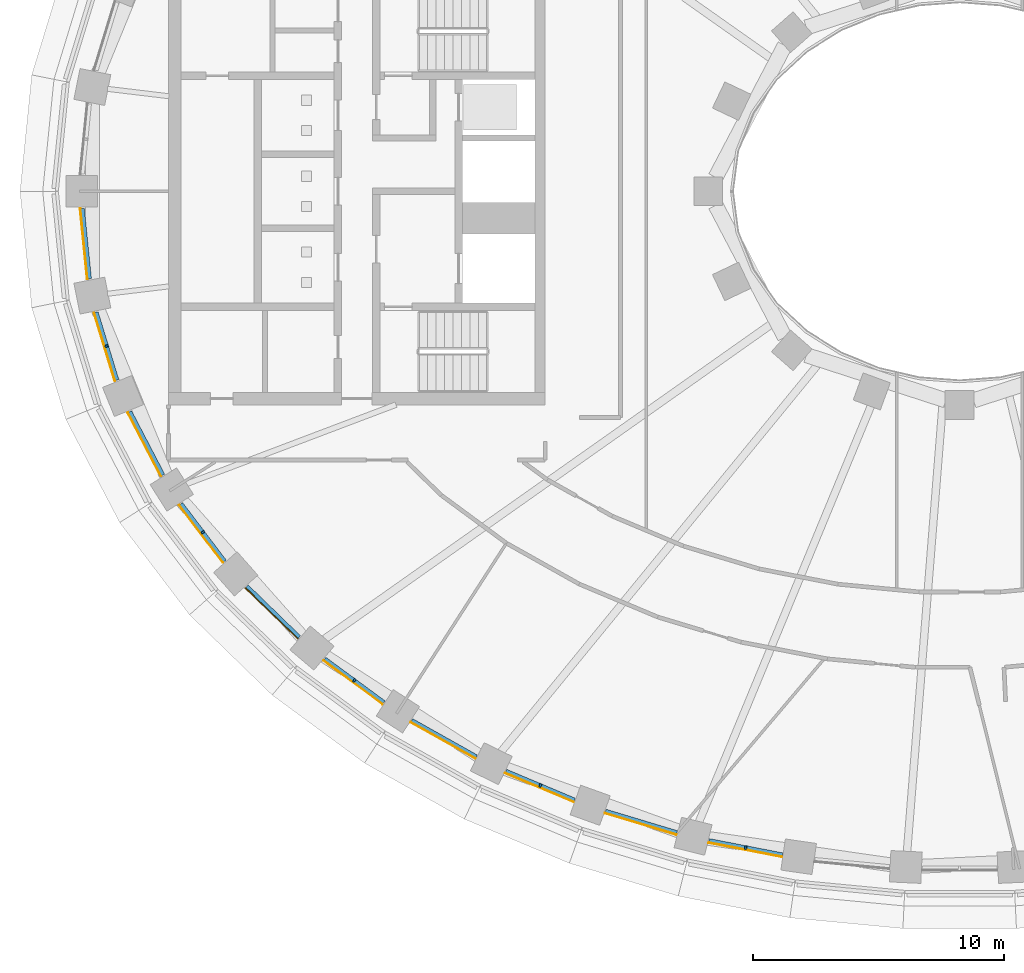
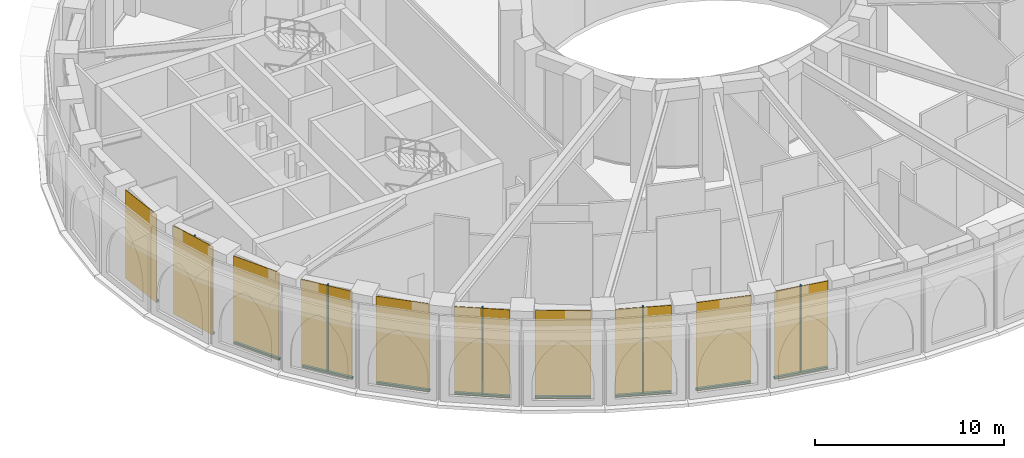
# One storey, part 9 of 23: 15 members, 10 curtain walls.
"""IFC4 building model written with IfcOpenShell, lengths in metres."""

from ifc_helpers import new_model, si_unit, direction, frame, origin, origin_2d, place, context, subcontext, project, spatial, polyline, rectangle, outline, extrude, material, layer, layer_set, material_profile, profile_set, type_object, element, aggregate, save


model = new_model("IFC4")

# Units and contexts
model_context = context("Model", 3, precision=1e-05, world=origin(), true_north=direction((0.0, 1.0)))
body_context = subcontext(model_context, "Body", "Model", "MODEL_VIEW")
ifc_project = project(units=[si_unit("LENGTHUNIT", "METRE"), si_unit("AREAUNIT", "SQUARE_METRE"), si_unit("VOLUMEUNIT", "CUBIC_METRE"), si_unit("PLANEANGLEUNIT", "RADIAN"), si_unit("MASSUNIT", "GRAM", prefix="KILO")], contexts=[model_context])

# Member
ifc_material_1 = material(Name="Aluminium 6063-T6 black anodised", Category="aluminium")
ifc_material_profile = material_profile(ifc_material_1, rectangle(XDim=0.14990234375, YDim=0.080078125, at=origin_2d()), Name="150x80")
ifc_profile_set = profile_set([ifc_material_profile], Name="Aluminium 6063-T6 black anodised")
member_type_1 = type_object("IfcMemberType", Name="ENV-MULLION-B-150", PredefinedType="MULLION", material=ifc_profile_set)
site_placement = place(None, origin())
building_placement = place(site_placement, origin())
storey_placement = place(building_placement, frame((0.0, 0.0, 140.0)))
member_1_placement = place(storey_placement, frame((-33.957275390625, -6.162109375, 0.1201171875), z_axis=(0.0, 0.0, 1.0), x_axis=(0.95636637957, 0.292170066961, 0.0)))
member_1 = element("IfcMember", 1, at=member_1_placement, type_object=member_type_1, Name="Mullion B chord 25", PredefinedType="MULLION", context=body_context, shape_type="SweptSolid", body=[
    extrude(rectangle(XDim=0.14990234375, YDim=0.080078125, at=origin_2d()), origin(), (0.0, 0.0, 1.0), 5.579833984375),
])

member_2_placement = place(storey_placement, frame((-30.12646484375, -13.576171875, 0.1201171875), z_axis=(0.0, 0.0, 1.0), x_axis=(0.796969018776, 0.604020184358, 0.0)))
member_2 = element("IfcMember", 2, at=member_2_placement, type_object=member_type_1, Name="Mullion B chord 27", PredefinedType="MULLION", context=body_context, shape_type="SweptSolid", body=[
    extrude(rectangle(XDim=0.14990234375, YDim=0.080078125, at=origin_2d()), origin(), (0.0, 0.0, 1.0), 5.579833984375),
])

member_3_placement = place(storey_placement, frame((-24.098388671875, -19.474365234375, 0.1201171875), z_axis=(0.0, 0.0, 1.0), x_axis=(0.593067090304, 0.805153045326, 0.0)))
member_3 = element("IfcMember", 3, at=member_3_placement, type_object=member_type_1, Name="Mullion B chord 29", PredefinedType="MULLION", context=body_context, shape_type="SweptSolid", body=[
    extrude(rectangle(XDim=0.14990234375, YDim=0.080078125, at=origin_2d()), origin(), (0.0, 0.0, 1.0), 5.579833984375),
])

member_4_placement = place(storey_placement, frame((-16.69482421875, -23.652587890625, 0.1201171875), z_axis=(0.0, 0.0, 1.0), x_axis=(0.387638279686, 0.921811566494, 0.0)))
member_4 = element("IfcMember", 4, at=member_4_placement, type_object=member_type_1, Name="Mullion B chord 31", PredefinedType="MULLION", context=body_context, shape_type="SweptSolid", body=[
    extrude(rectangle(XDim=0.14990234375, YDim=0.080078125, at=origin_2d()), origin(), (0.0, 0.0, 1.0), 5.579833984375),
])

member_5_placement = place(storey_placement, frame((-8.51953125, -26.12451171875, 0.1201171875), z_axis=(0.0, 0.0, 1.0), x_axis=(0.190820470077, 0.981624952922, 0.0)))
member_5 = element("IfcMember", 5, at=member_5_placement, type_object=member_type_1, Name="Mullion B chord 33", PredefinedType="MULLION", context=body_context, shape_type="SweptSolid", body=[
    extrude(rectangle(XDim=0.14990234375, YDim=0.080078125, at=origin_2d()), origin(), (0.0, 0.0, 1.0), 5.579833984375),
])

ifc_material_2 = material(Name="Aluminium 6063-T6 black anodised", Category="aluminium")
member_type_2 = type_object("IfcMemberType", Name="ENV-TRANSOM-B", PredefinedType="USERDEFINED", material=ifc_material_2)
member_6_placement = place(storey_placement, origin())
member_6 = element("IfcMember", 6, at=member_6_placement, type_object=member_type_2, Name="Transom B radial 24-25", ObjectType="TRANSOM", PredefinedType="USERDEFINED", context=body_context, shape_type="SweptSolid", body=[
    extrude(outline(polyline([(-34.99462890625, -0.680908203125), (-34.71142578125, -3.494384765625), (-34.563720703125, -3.464599609375), (-34.843994140625, -0.680908203125), (-34.99462890625, -0.680908203125)])), origin(), (0.0, 0.0, 1.0), 0.1201171875),
])

member_7_placement = place(storey_placement, origin())
member_7 = element("IfcMember", 7, at=member_7_placement, type_object=member_type_2, Name="Transom B radial 25-26", ObjectType="TRANSOM", PredefinedType="USERDEFINED", context=body_context, shape_type="SweptSolid", body=[
    extrude(outline(polyline([(-34.443359375, -4.827392578125), (-33.61328125, -7.544189453125), (-33.47412109375, -7.487060546875), (-34.295654296875, -4.797607421875), (-34.443359375, -4.827392578125)])), origin(), (0.0, 0.0, 1.0), 0.1201171875),
])

member_8_placement = place(storey_placement, origin())
member_8 = element("IfcMember", 8, at=member_8_placement, type_object=member_type_2, Name="Transom B radial 26-27", ObjectType="TRANSOM", PredefinedType="USERDEFINED", context=body_context, shape_type="SweptSolid", body=[
    extrude(outline(polyline([(-33.1005859375, -8.796875), (-31.777099609375, -11.335693359375), (-31.64990234375, -11.255126953125), (-32.961181640625, -8.739990234375), (-33.1005859375, -8.796875)])), origin(), (0.0, 0.0, 1.0), 0.1201171875),
])

member_9_placement = place(storey_placement, origin())
member_9 = element("IfcMember", 9, at=member_9_placement, type_object=member_type_2, Name="Transom B radial 27-28", ObjectType="TRANSOM", PredefinedType="USERDEFINED", context=body_context, shape_type="SweptSolid", body=[
    extrude(outline(polyline([(-31.057373046875, -12.472412109375), (-29.3125, -14.774658203125), (-29.19970703125, -14.675048828125), (-30.93017578125, -12.391845703125), (-31.057373046875, -12.472412109375)])), origin(), (0.0, 0.0, 1.0), 0.1201171875),
])

member_10_placement = place(storey_placement, origin())
member_10 = element("IfcMember", 10, at=member_10_placement, type_object=member_type_2, Name="Transom B radial 28-29", ObjectType="TRANSOM", PredefinedType="USERDEFINED", context=body_context, shape_type="SweptSolid", body=[
    extrude(outline(polyline([(-28.4267578125, -15.77587890625), (-26.3369140625, -17.806396484375), (-26.23974609375, -17.69189453125), (-28.31396484375, -15.676513671875), (-28.4267578125, -15.77587890625)])), origin(), (0.0, 0.0, 1.0), 0.1201171875),
])

member_11_placement = place(storey_placement, origin())
member_11 = element("IfcMember", 11, at=member_11_placement, type_object=member_type_2, Name="Transom B radial 29-30", ObjectType="TRANSOM", PredefinedType="USERDEFINED", context=body_context, shape_type="SweptSolid", body=[
    extrude(outline(polyline([(-25.322998046875, -18.66552734375), (-22.95947265625, -20.406494140625), (-22.8779296875, -20.2802734375), (-25.225830078125, -18.55078125), (-25.322998046875, -18.66552734375)])), origin(), (0.0, 0.0, 1.0), 0.1201171875),
])

member_12_placement = place(storey_placement, origin())
member_12 = element("IfcMember", 12, at=member_12_placement, type_object=member_type_2, Name="Transom B radial 30-31", ObjectType="TRANSOM", PredefinedType="USERDEFINED", context=body_context, shape_type="SweptSolid", body=[
    extrude(outline(polyline([(-21.8486328125, -21.123291015625), (-19.273193359375, -22.56884765625), (-19.207275390625, -22.433837890625), (-21.76708984375, -20.997314453125), (-21.8486328125, -21.123291015625)])), origin(), (0.0, 0.0, 1.0), 0.1201171875),
])

member_13_placement = place(storey_placement, origin())
member_13 = element("IfcMember", 13, at=member_13_placement, type_object=member_type_2, Name="Transom B radial 31-32", ObjectType="TRANSOM", PredefinedType="USERDEFINED", context=body_context, shape_type="SweptSolid", body=[
    extrude(outline(polyline([(-18.09033203125, -23.147216796875), (-15.355224609375, -24.29736328125), (-15.304443359375, -24.156005859375), (-18.0244140625, -23.01220703125), (-18.09033203125, -23.147216796875)])), origin(), (0.0, 0.0, 1.0), 0.1201171875),
])

member_14_placement = place(storey_placement, origin())
member_14 = element("IfcMember", 14, at=member_14_placement, type_object=member_type_2, Name="Transom B radial 32-33", ObjectType="TRANSOM", PredefinedType="USERDEFINED", context=body_context, shape_type="SweptSolid", body=[
    extrude(outline(polyline([(-14.1201171875, -24.741455078125), (-11.269287109375, -25.599365234375), (-11.233154296875, -25.45361328125), (-14.0693359375, -24.60009765625), (-14.1201171875, -24.741455078125)])), origin(), (0.0, 0.0, 1.0), 0.1201171875),
])

member_15_placement = place(storey_placement, origin())
member_15 = element("IfcMember", 15, at=member_15_placement, type_object=member_type_2, Name="Transom B radial 33-34", ObjectType="TRANSOM", PredefinedType="USERDEFINED", context=body_context, shape_type="SweptSolid", body=[
    extrude(outline(polyline([(-9.998046875, -25.913330078125), (-7.068603515625, -26.48291015625), (-7.047119140625, -26.334228515625), (-9.9619140625, -25.767578125), (-9.998046875, -25.913330078125)])), origin(), (0.0, 0.0, 1.0), 0.1201171875),
])

# Site, building, storey
site = spatial("IfcSite", under=ifc_project, at=site_placement, CompositionType="ELEMENT")
building = spatial("IfcBuilding", under=site, at=building_placement, Name="Noorbagh Ring Tower", CompositionType="ELEMENT")
storey = spatial("IfcBuildingStorey", under=building, at=storey_placement, Name="L32", CompositionType="ELEMENT", Elevation=140.0)

# Curtain wall
ifc_material_3 = material(Name="Glass dark tinted laminated", Category="glass")
ifc_layer = layer(ifc_material_3, 0.031982421875)
ifc_layer_set = layer_set([ifc_layer], Name="Glass dark tinted laminated")
curtain_wall_type = type_object("IfcCurtainWallType", Name="ENV-CW-B", PredefinedType="NOTDEFINED", material=ifc_layer_set)
curtain_wall_1_placement = place(storey_placement, origin())
curtain_wall_1 = element("IfcCurtainWall", 16, at=curtain_wall_1_placement, inside=storey, type_object=curtain_wall_type, Name="Curtain wall B R24", PredefinedType="NOTDEFINED", context=body_context, shape_type="SweptSolid", body=[
    extrude(outline(polyline([(-35.02685546875, -0.680908203125), (-34.742919921875, -3.500732421875), (-34.71142578125, -3.494384765625), (-34.99462890625, -0.680908203125), (-35.02685546875, -0.680908203125)])), origin(), (0.0, 0.0, 1.0), 5.699951171875),
])

aggregate(curtain_wall_1, [member_6])

curtain_wall_2_placement = place(storey_placement, origin())
curtain_wall_2 = element("IfcCurtainWall", 17, at=curtain_wall_2_placement, inside=storey, type_object=curtain_wall_type, Name="Curtain wall B R25", PredefinedType="NOTDEFINED", context=body_context, shape_type="SweptSolid", body=[
    extrude(outline(polyline([(-34.47509765625, -4.833740234375), (-33.643310546875, -7.556396484375), (-33.61328125, -7.544189453125), (-34.443359375, -4.827392578125), (-34.47509765625, -4.833740234375)])), origin(), (0.0, 0.0, 1.0), 5.699951171875),
])

aggregate(curtain_wall_2, [member_1, member_7])

curtain_wall_3_placement = place(storey_placement, origin())
curtain_wall_3 = element("IfcCurtainWall", 18, at=curtain_wall_3_placement, inside=storey, type_object=curtain_wall_type, Name="Curtain wall B R26", PredefinedType="NOTDEFINED", context=body_context, shape_type="SweptSolid", body=[
    extrude(outline(polyline([(-33.13037109375, -8.80908203125), (-31.80419921875, -11.352783203125), (-31.777099609375, -11.335693359375), (-33.1005859375, -8.796875), (-33.13037109375, -8.80908203125)])), origin(), (0.0, 0.0, 1.0), 5.699951171875),
])

aggregate(curtain_wall_3, [member_8])

curtain_wall_4_placement = place(storey_placement, origin())
curtain_wall_4 = element("IfcCurtainWall", 19, at=curtain_wall_4_placement, inside=storey, type_object=curtain_wall_type, Name="Curtain wall B R27", PredefinedType="NOTDEFINED", context=body_context, shape_type="SweptSolid", body=[
    extrude(outline(polyline([(-31.08447265625, -12.489501953125), (-29.33642578125, -14.7958984375), (-29.3125, -14.774658203125), (-31.057373046875, -12.472412109375), (-31.08447265625, -12.489501953125)])), origin(), (0.0, 0.0, 1.0), 5.699951171875),
])

aggregate(curtain_wall_4, [member_2, member_9])

curtain_wall_5_placement = place(storey_placement, origin())
curtain_wall_5 = element("IfcCurtainWall", 20, at=curtain_wall_5_placement, inside=storey, type_object=curtain_wall_type, Name="Curtain wall B R28", PredefinedType="NOTDEFINED", context=body_context, shape_type="SweptSolid", body=[
    extrude(outline(polyline([(-28.45068359375, -15.79736328125), (-26.357666015625, -17.830810546875), (-26.3369140625, -17.806396484375), (-28.4267578125, -15.77587890625), (-28.45068359375, -15.79736328125)])), origin(), (0.0, 0.0, 1.0), 5.699951171875),
])

aggregate(curtain_wall_5, [member_10])

curtain_wall_6_placement = place(storey_placement, origin())
curtain_wall_6 = element("IfcCurtainWall", 21, at=curtain_wall_6_placement, inside=storey, type_object=curtain_wall_type, Name="Curtain wall B R29", PredefinedType="NOTDEFINED", context=body_context, shape_type="SweptSolid", body=[
    extrude(outline(polyline([(-25.34375, -18.68994140625), (-22.976806640625, -20.433349609375), (-22.95947265625, -20.406494140625), (-25.322998046875, -18.66552734375), (-25.34375, -18.68994140625)])), origin(), (0.0, 0.0, 1.0), 5.699951171875),
])

aggregate(curtain_wall_6, [member_3, member_11])

curtain_wall_7_placement = place(storey_placement, origin())
curtain_wall_7 = element("IfcCurtainWall", 22, at=curtain_wall_7_placement, inside=storey, type_object=curtain_wall_type, Name="Curtain wall B R30", PredefinedType="NOTDEFINED", context=body_context, shape_type="SweptSolid", body=[
    extrude(outline(polyline([(-21.865966796875, -21.150390625), (-19.287353515625, -22.59765625), (-19.273193359375, -22.56884765625), (-21.8486328125, -21.123291015625), (-21.865966796875, -21.150390625)])), origin(), (0.0, 0.0, 1.0), 5.699951171875),
])

aggregate(curtain_wall_7, [member_12])

curtain_wall_8_placement = place(storey_placement, origin())
curtain_wall_8 = element("IfcCurtainWall", 23, at=curtain_wall_8_placement, inside=storey, type_object=curtain_wall_type, Name="Curtain wall B R31", PredefinedType="NOTDEFINED", context=body_context, shape_type="SweptSolid", body=[
    extrude(outline(polyline([(-18.1044921875, -23.176025390625), (-15.3662109375, -24.327392578125), (-15.355224609375, -24.29736328125), (-18.09033203125, -23.147216796875), (-18.1044921875, -23.176025390625)])), origin(), (0.0, 0.0, 1.0), 5.699951171875),
])

aggregate(curtain_wall_8, [member_4, member_13])

curtain_wall_9_placement = place(storey_placement, origin())
curtain_wall_9 = element("IfcCurtainWall", 24, at=curtain_wall_9_placement, inside=storey, type_object=curtain_wall_type, Name="Curtain wall B R32", PredefinedType="NOTDEFINED", context=body_context, shape_type="SweptSolid", body=[
    extrude(outline(polyline([(-14.131103515625, -24.771484375), (-11.27685546875, -25.630615234375), (-11.269287109375, -25.599365234375), (-14.1201171875, -24.741455078125), (-14.131103515625, -24.771484375)])), origin(), (0.0, 0.0, 1.0), 5.699951171875),
])

aggregate(curtain_wall_9, [member_14])

curtain_wall_10_placement = place(storey_placement, origin())
curtain_wall_10 = element("IfcCurtainWall", 25, at=curtain_wall_10_placement, inside=storey, type_object=curtain_wall_type, Name="Curtain wall B R33", PredefinedType="NOTDEFINED", context=body_context, shape_type="SweptSolid", body=[
    extrude(outline(polyline([(-10.005615234375, -25.944580078125), (-7.0732421875, -26.5146484375), (-7.068603515625, -26.48291015625), (-9.998046875, -25.913330078125), (-10.005615234375, -25.944580078125)])), origin(), (0.0, 0.0, 1.0), 5.699951171875),
])

aggregate(curtain_wall_10, [member_5, member_15])

save(model, "model.ifc")
